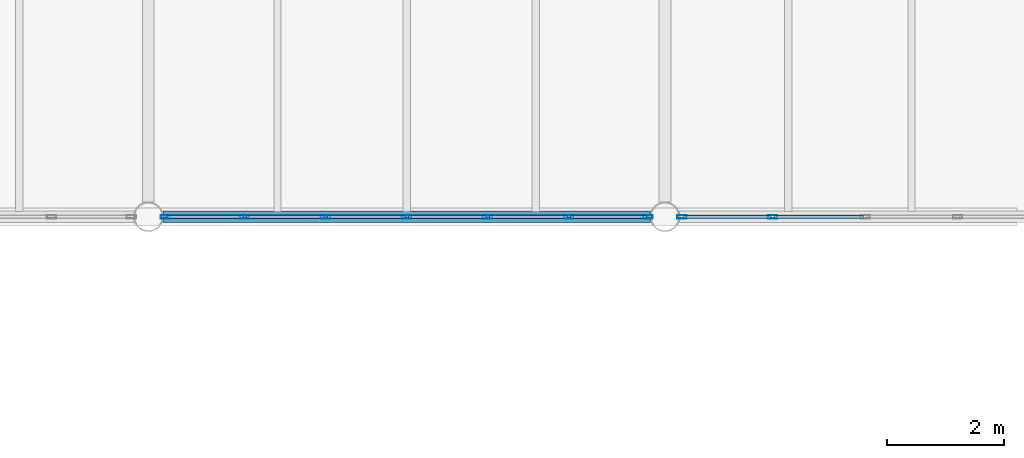
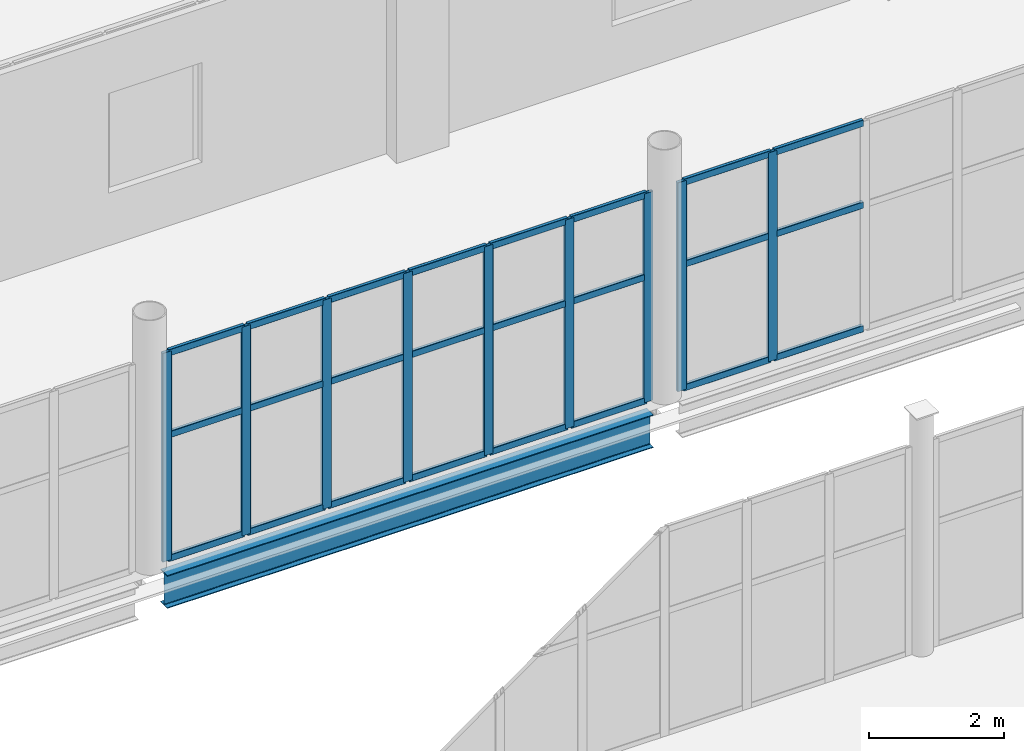
# One storey, part 85 of 172: 33 members, 1 beam, 2 elements without a shape of their own.
"""IFC4 building model written with IfcOpenShell, lengths in metres."""

from ifc_helpers import new_model, si_unit, direction, frame, origin, origin_2d, place, context, subcontext, project, spatial, hollow_rectangle, i_section, extrude, material, material_profile, profile_set, type_object, element, aggregate, save


model = new_model("IFC4")

# Units and contexts
model_context = context("Model", 3, precision=1e-05, world=origin(), true_north=direction((0.0, 1.0)))
body_context = subcontext(model_context, "Body", "Model", "MODEL_VIEW")
ifc_project = project(units=[si_unit("LENGTHUNIT", "METRE"), si_unit("AREAUNIT", "SQUARE_METRE"), si_unit("VOLUMEUNIT", "CUBIC_METRE"), si_unit("PLANEANGLEUNIT", "RADIAN"), si_unit("MASSUNIT", "GRAM", prefix="KILO")], contexts=[model_context])

# Site, building, storey
site_placement = place(None, origin())
site = spatial("IfcSite", under=ifc_project, at=site_placement, CompositionType="ELEMENT")
building_placement = place(site_placement, origin())
building = spatial("IfcBuilding", under=site, at=building_placement, Name="Shengluoqiao Park Theatre", CompositionType="ELEMENT")
storey_placement = place(building_placement, frame((0.0, 0.0, 5.39990234375)))
storey = spatial("IfcBuildingStorey", under=building, at=storey_placement, Name="L01", CompositionType="ELEMENT", Elevation=5.39990234375)

# Curtain wall, members
ifc_material_1 = material(Name="Aluminium 6063-T6", Category="aluminium")
curtain_wall_type = type_object("IfcCurtainWallType", Name="ENV-CW-BRIDGE", PredefinedType="NOTDEFINED", material=ifc_material_1)
curtain_wall_1_placement = place(storey_placement, origin())
curtain_wall_1 = element("IfcCurtainWall", 1, at=curtain_wall_1_placement, inside=storey, type_object=curtain_wall_type, Name="L01 Curtain Wall CWX-L01-0092", PredefinedType="NOTDEFINED")
ifc_material_profile_1 = material_profile(ifc_material_1, hollow_rectangle(XDim=0.06005859375, YDim=0.159912109375, WallThickness=0.00390625, InnerFilletRadius=0.00390625, OuterFilletRadius=0.008056640625, at=origin_2d()), Name="ALU MULLION 160x60x4")
ifc_profile_set_1 = profile_set([ifc_material_profile_1], Name="Aluminium 6063-T6")
member_type_1 = type_object("IfcMemberType", Name="ENV-MUL-160", PredefinedType="MULLION", material=ifc_profile_set_1)
member_1_placement = place(storey_placement, frame((95.488037109375, 68.39990234375, 0.0), z_axis=(0.0, 0.0, 1.0), x_axis=(0.0, 1.0, 0.0)))
member_1 = element("IfcMember", 2, at=member_1_placement, type_object=member_type_1, Name="CW-03 mullion 1", PredefinedType="MULLION", context=body_context, shape_type="SweptSolid", body=[
    extrude(hollow_rectangle(XDim=0.06005859375, YDim=0.159912109375, WallThickness=0.00390625, InnerFilletRadius=0.00390625, OuterFilletRadius=0.008056640625, at=origin_2d()), origin(), (0.0, 0.0, 1.0), 3.772216796875),
])
member_2_placement = place(storey_placement, frame((96.838623046875, 68.39990234375, 0.0), z_axis=(0.0, 0.0, 1.0), x_axis=(0.0, 1.0, 0.0)))
member_2 = element("IfcMember", 3, at=member_2_placement, type_object=member_type_1, Name="CW-03 mullion 2", PredefinedType="MULLION", context=body_context, shape_type="SweptSolid", body=[
    extrude(hollow_rectangle(XDim=0.06005859375, YDim=0.159912109375, WallThickness=0.00390625, InnerFilletRadius=0.00390625, OuterFilletRadius=0.008056640625, at=origin_2d()), origin(), (0.0, 0.0, 1.0), 3.772216796875),
])
member_3_placement = place(storey_placement, frame((98.21923828125, 68.39990234375, 0.0), z_axis=(0.0, 0.0, 1.0), x_axis=(0.0, 1.0, 0.0)))
member_3 = element("IfcMember", 4, at=member_3_placement, type_object=member_type_1, Name="CW-03 mullion 3", PredefinedType="MULLION", context=body_context, shape_type="SweptSolid", body=[
    extrude(hollow_rectangle(XDim=0.06005859375, YDim=0.159912109375, WallThickness=0.00390625, InnerFilletRadius=0.00390625, OuterFilletRadius=0.008056640625, at=origin_2d()), origin(), (0.0, 0.0, 1.0), 3.772216796875),
])
member_4_placement = place(storey_placement, frame((99.60009765625, 68.39990234375, 0.0), z_axis=(0.0, 0.0, 1.0), x_axis=(0.0, 1.0, 0.0)))
member_4 = element("IfcMember", 5, at=member_4_placement, type_object=member_type_1, Name="CW-03 mullion 4", PredefinedType="MULLION", context=body_context, shape_type="SweptSolid", body=[
    extrude(hollow_rectangle(XDim=0.06005859375, YDim=0.159912109375, WallThickness=0.00390625, InnerFilletRadius=0.00390625, OuterFilletRadius=0.008056640625, at=origin_2d()), origin(), (0.0, 0.0, 1.0), 3.772216796875),
])
member_5_placement = place(storey_placement, frame((100.980712890625, 68.39990234375, 0.0), z_axis=(0.0, 0.0, 1.0), x_axis=(0.0, 1.0, 0.0)))
member_5 = element("IfcMember", 6, at=member_5_placement, type_object=member_type_1, Name="CW-03 mullion 5", PredefinedType="MULLION", context=body_context, shape_type="SweptSolid", body=[
    extrude(hollow_rectangle(XDim=0.06005859375, YDim=0.159912109375, WallThickness=0.00390625, InnerFilletRadius=0.00390625, OuterFilletRadius=0.008056640625, at=origin_2d()), origin(), (0.0, 0.0, 1.0), 3.772216796875),
])
member_6_placement = place(storey_placement, frame((102.361328125, 68.39990234375, 0.0), z_axis=(0.0, 0.0, 1.0), x_axis=(0.0, 1.0, 0.0)))
member_6 = element("IfcMember", 7, at=member_6_placement, type_object=member_type_1, Name="CW-03 mullion 6", PredefinedType="MULLION", context=body_context, shape_type="SweptSolid", body=[
    extrude(hollow_rectangle(XDim=0.06005859375, YDim=0.159912109375, WallThickness=0.00390625, InnerFilletRadius=0.00390625, OuterFilletRadius=0.008056640625, at=origin_2d()), origin(), (0.0, 0.0, 1.0), 3.772216796875),
])
member_7_placement = place(storey_placement, frame((103.7119140625, 68.39990234375, 0.0), z_axis=(0.0, 0.0, 1.0), x_axis=(0.0, 1.0, 0.0)))
member_7 = element("IfcMember", 8, at=member_7_placement, type_object=member_type_1, Name="CW-03 mullion 7", PredefinedType="MULLION", context=body_context, shape_type="SweptSolid", body=[
    extrude(hollow_rectangle(XDim=0.06005859375, YDim=0.159912109375, WallThickness=0.00390625, InnerFilletRadius=0.00390625, OuterFilletRadius=0.008056640625, at=origin_2d()), origin(), (0.0, 0.0, 1.0), 3.772216796875),
])

curtain_wall_2_placement = place(storey_placement, origin())
curtain_wall_2 = element("IfcCurtainWall", 9, at=curtain_wall_2_placement, inside=storey, type_object=curtain_wall_type, Name="L01 Curtain Wall CWX-L01-0093", PredefinedType="NOTDEFINED")
member_8_placement = place(storey_placement, frame((104.2880859375, 68.39990234375, 0.0), z_axis=(0.0, 0.0, 1.0), x_axis=(0.0, 1.0, 0.0)))
member_8 = element("IfcMember", 10, at=member_8_placement, type_object=member_type_1, Name="CW-03 mullion 1", PredefinedType="MULLION", context=body_context, shape_type="SweptSolid", body=[
    extrude(hollow_rectangle(XDim=0.06005859375, YDim=0.159912109375, WallThickness=0.00390625, InnerFilletRadius=0.00390625, OuterFilletRadius=0.008056640625, at=origin_2d()), origin(), (0.0, 0.0, 1.0), 3.772216796875),
])
member_9_placement = place(storey_placement, frame((105.834716796875, 68.39990234375, 0.0), z_axis=(0.0, 0.0, 1.0), x_axis=(0.0, 1.0, 0.0)))
member_9 = element("IfcMember", 11, at=member_9_placement, type_object=member_type_1, Name="CW-03 mullion 2", PredefinedType="MULLION", context=body_context, shape_type="SweptSolid", body=[
    extrude(hollow_rectangle(XDim=0.06005859375, YDim=0.159912109375, WallThickness=0.00390625, InnerFilletRadius=0.00390625, OuterFilletRadius=0.008056640625, at=origin_2d()), origin(), (0.0, 0.0, 1.0), 3.772216796875),
])

# Member
ifc_material_profile_2 = material_profile(ifc_material_1, hollow_rectangle(XDim=0.06005859375, YDim=0.1201171875, WallThickness=0.00390625, InnerFilletRadius=0.00390625, OuterFilletRadius=0.008056640625, at=origin_2d()), Name="ALU TRANSOM 120x60x4")
ifc_profile_set_2 = profile_set([ifc_material_profile_2], Name="Aluminium 6063-T6")
member_type_2 = type_object("IfcMemberType", Name="ENV-TRN-120", PredefinedType="USERDEFINED", material=ifc_profile_set_2)
member_10_placement = place(storey_placement, frame((95.51806640625, 68.39990234375, 0.030029296875), z_axis=(1.0, 0.0, 0.0), x_axis=(0.0, 1.0, 0.0)))
member_10 = element("IfcMember", 12, at=member_10_placement, type_object=member_type_2, Name="CW-03 transom 1.1", ObjectType="TRANSOM", PredefinedType="USERDEFINED", context=body_context, shape_type="SweptSolid", body=[
    extrude(hollow_rectangle(XDim=0.06005859375, YDim=0.1201171875, WallThickness=0.00390625, InnerFilletRadius=0.00390625, OuterFilletRadius=0.008056640625, at=origin_2d()), origin(), (0.0, 0.0, 1.0), 1.29052734375),
])

member_11_placement = place(storey_placement, frame((95.51806640625, 68.39990234375, 2.26318359375), z_axis=(1.0, 0.0, 0.0), x_axis=(0.0, 1.0, 0.0)))
member_11 = element("IfcMember", 13, at=member_11_placement, type_object=member_type_2, Name="CW-03 transom 1.2", ObjectType="TRANSOM", PredefinedType="USERDEFINED", context=body_context, shape_type="SweptSolid", body=[
    extrude(hollow_rectangle(XDim=0.06005859375, YDim=0.1201171875, WallThickness=0.00390625, InnerFilletRadius=0.00390625, OuterFilletRadius=0.008056640625, at=origin_2d()), origin(), (0.0, 0.0, 1.0), 1.29052734375),
])

member_12_placement = place(storey_placement, frame((95.51806640625, 68.39990234375, 3.7421875), z_axis=(1.0, 0.0, 0.0), x_axis=(0.0, 1.0, 0.0)))
member_12 = element("IfcMember", 14, at=member_12_placement, type_object=member_type_2, Name="CW-03 transom 1.3", ObjectType="TRANSOM", PredefinedType="USERDEFINED", context=body_context, shape_type="SweptSolid", body=[
    extrude(hollow_rectangle(XDim=0.06005859375, YDim=0.1201171875, WallThickness=0.00390625, InnerFilletRadius=0.00390625, OuterFilletRadius=0.008056640625, at=origin_2d()), origin(), (0.0, 0.0, 1.0), 1.29052734375),
])

member_13_placement = place(storey_placement, frame((96.86865234375, 68.39990234375, 0.030029296875), z_axis=(1.0, 0.0, 0.0), x_axis=(0.0, 1.0, 0.0)))
member_13 = element("IfcMember", 15, at=member_13_placement, type_object=member_type_2, Name="CW-03 transom 2.1", ObjectType="TRANSOM", PredefinedType="USERDEFINED", context=body_context, shape_type="SweptSolid", body=[
    extrude(hollow_rectangle(XDim=0.06005859375, YDim=0.1201171875, WallThickness=0.00390625, InnerFilletRadius=0.00390625, OuterFilletRadius=0.008056640625, at=origin_2d()), origin(), (0.0, 0.0, 1.0), 1.32080078125),
])

member_14_placement = place(storey_placement, frame((96.86865234375, 68.39990234375, 2.26318359375), z_axis=(1.0, 0.0, 0.0), x_axis=(0.0, 1.0, 0.0)))
member_14 = element("IfcMember", 16, at=member_14_placement, type_object=member_type_2, Name="CW-03 transom 2.2", ObjectType="TRANSOM", PredefinedType="USERDEFINED", context=body_context, shape_type="SweptSolid", body=[
    extrude(hollow_rectangle(XDim=0.06005859375, YDim=0.1201171875, WallThickness=0.00390625, InnerFilletRadius=0.00390625, OuterFilletRadius=0.008056640625, at=origin_2d()), origin(), (0.0, 0.0, 1.0), 1.32080078125),
])

member_15_placement = place(storey_placement, frame((96.86865234375, 68.39990234375, 3.7421875), z_axis=(1.0, 0.0, 0.0), x_axis=(0.0, 1.0, 0.0)))
member_15 = element("IfcMember", 17, at=member_15_placement, type_object=member_type_2, Name="CW-03 transom 2.3", ObjectType="TRANSOM", PredefinedType="USERDEFINED", context=body_context, shape_type="SweptSolid", body=[
    extrude(hollow_rectangle(XDim=0.06005859375, YDim=0.1201171875, WallThickness=0.00390625, InnerFilletRadius=0.00390625, OuterFilletRadius=0.008056640625, at=origin_2d()), origin(), (0.0, 0.0, 1.0), 1.32080078125),
])

member_16_placement = place(storey_placement, frame((98.249267578125, 68.39990234375, 0.030029296875), z_axis=(1.0, 0.0, 0.0), x_axis=(0.0, 1.0, 0.0)))
member_16 = element("IfcMember", 18, at=member_16_placement, type_object=member_type_2, Name="CW-03 transom 3.1", ObjectType="TRANSOM", PredefinedType="USERDEFINED", context=body_context, shape_type="SweptSolid", body=[
    extrude(hollow_rectangle(XDim=0.06005859375, YDim=0.1201171875, WallThickness=0.00390625, InnerFilletRadius=0.00390625, OuterFilletRadius=0.008056640625, at=origin_2d()), origin(), (0.0, 0.0, 1.0), 1.32080078125),
])

member_17_placement = place(storey_placement, frame((98.249267578125, 68.39990234375, 2.26318359375), z_axis=(1.0, 0.0, 0.0), x_axis=(0.0, 1.0, 0.0)))
member_17 = element("IfcMember", 19, at=member_17_placement, type_object=member_type_2, Name="CW-03 transom 3.2", ObjectType="TRANSOM", PredefinedType="USERDEFINED", context=body_context, shape_type="SweptSolid", body=[
    extrude(hollow_rectangle(XDim=0.06005859375, YDim=0.1201171875, WallThickness=0.00390625, InnerFilletRadius=0.00390625, OuterFilletRadius=0.008056640625, at=origin_2d()), origin(), (0.0, 0.0, 1.0), 1.32080078125),
])

member_18_placement = place(storey_placement, frame((98.249267578125, 68.39990234375, 3.7421875), z_axis=(1.0, 0.0, 0.0), x_axis=(0.0, 1.0, 0.0)))
member_18 = element("IfcMember", 20, at=member_18_placement, type_object=member_type_2, Name="CW-03 transom 3.3", ObjectType="TRANSOM", PredefinedType="USERDEFINED", context=body_context, shape_type="SweptSolid", body=[
    extrude(hollow_rectangle(XDim=0.06005859375, YDim=0.1201171875, WallThickness=0.00390625, InnerFilletRadius=0.00390625, OuterFilletRadius=0.008056640625, at=origin_2d()), origin(), (0.0, 0.0, 1.0), 1.32080078125),
])

member_19_placement = place(storey_placement, frame((99.6298828125, 68.39990234375, 0.030029296875), z_axis=(1.0, 0.0, 0.0), x_axis=(0.0, 1.0, 0.0)))
member_19 = element("IfcMember", 21, at=member_19_placement, type_object=member_type_2, Name="CW-03 transom 4.1", ObjectType="TRANSOM", PredefinedType="USERDEFINED", context=body_context, shape_type="SweptSolid", body=[
    extrude(hollow_rectangle(XDim=0.06005859375, YDim=0.1201171875, WallThickness=0.00390625, InnerFilletRadius=0.00390625, OuterFilletRadius=0.008056640625, at=origin_2d()), origin(), (0.0, 0.0, 1.0), 1.32080078125),
])

member_20_placement = place(storey_placement, frame((99.6298828125, 68.39990234375, 2.26318359375), z_axis=(1.0, 0.0, 0.0), x_axis=(0.0, 1.0, 0.0)))
member_20 = element("IfcMember", 22, at=member_20_placement, type_object=member_type_2, Name="CW-03 transom 4.2", ObjectType="TRANSOM", PredefinedType="USERDEFINED", context=body_context, shape_type="SweptSolid", body=[
    extrude(hollow_rectangle(XDim=0.06005859375, YDim=0.1201171875, WallThickness=0.00390625, InnerFilletRadius=0.00390625, OuterFilletRadius=0.008056640625, at=origin_2d()), origin(), (0.0, 0.0, 1.0), 1.32080078125),
])

member_21_placement = place(storey_placement, frame((99.6298828125, 68.39990234375, 3.7421875), z_axis=(1.0, 0.0, 0.0), x_axis=(0.0, 1.0, 0.0)))
member_21 = element("IfcMember", 23, at=member_21_placement, type_object=member_type_2, Name="CW-03 transom 4.3", ObjectType="TRANSOM", PredefinedType="USERDEFINED", context=body_context, shape_type="SweptSolid", body=[
    extrude(hollow_rectangle(XDim=0.06005859375, YDim=0.1201171875, WallThickness=0.00390625, InnerFilletRadius=0.00390625, OuterFilletRadius=0.008056640625, at=origin_2d()), origin(), (0.0, 0.0, 1.0), 1.32080078125),
])

member_22_placement = place(storey_placement, frame((101.0107421875, 68.39990234375, 0.030029296875), z_axis=(1.0, 0.0, 0.0), x_axis=(0.0, 1.0, 0.0)))
member_22 = element("IfcMember", 24, at=member_22_placement, type_object=member_type_2, Name="CW-03 transom 5.1", ObjectType="TRANSOM", PredefinedType="USERDEFINED", context=body_context, shape_type="SweptSolid", body=[
    extrude(hollow_rectangle(XDim=0.06005859375, YDim=0.1201171875, WallThickness=0.00390625, InnerFilletRadius=0.00390625, OuterFilletRadius=0.008056640625, at=origin_2d()), origin(), (0.0, 0.0, 1.0), 1.320556640625),
])

member_23_placement = place(storey_placement, frame((101.0107421875, 68.39990234375, 2.26318359375), z_axis=(1.0, 0.0, 0.0), x_axis=(0.0, 1.0, 0.0)))
member_23 = element("IfcMember", 25, at=member_23_placement, type_object=member_type_2, Name="CW-03 transom 5.2", ObjectType="TRANSOM", PredefinedType="USERDEFINED", context=body_context, shape_type="SweptSolid", body=[
    extrude(hollow_rectangle(XDim=0.06005859375, YDim=0.1201171875, WallThickness=0.00390625, InnerFilletRadius=0.00390625, OuterFilletRadius=0.008056640625, at=origin_2d()), origin(), (0.0, 0.0, 1.0), 1.320556640625),
])

member_24_placement = place(storey_placement, frame((101.0107421875, 68.39990234375, 3.7421875), z_axis=(1.0, 0.0, 0.0), x_axis=(0.0, 1.0, 0.0)))
member_24 = element("IfcMember", 26, at=member_24_placement, type_object=member_type_2, Name="CW-03 transom 5.3", ObjectType="TRANSOM", PredefinedType="USERDEFINED", context=body_context, shape_type="SweptSolid", body=[
    extrude(hollow_rectangle(XDim=0.06005859375, YDim=0.1201171875, WallThickness=0.00390625, InnerFilletRadius=0.00390625, OuterFilletRadius=0.008056640625, at=origin_2d()), origin(), (0.0, 0.0, 1.0), 1.320556640625),
])

member_25_placement = place(storey_placement, frame((102.391357421875, 68.39990234375, 0.030029296875), z_axis=(1.0, 0.0, 0.0), x_axis=(0.0, 1.0, 0.0)))
member_25 = element("IfcMember", 27, at=member_25_placement, type_object=member_type_2, Name="CW-03 transom 6.1", ObjectType="TRANSOM", PredefinedType="USERDEFINED", context=body_context, shape_type="SweptSolid", body=[
    extrude(hollow_rectangle(XDim=0.06005859375, YDim=0.1201171875, WallThickness=0.00390625, InnerFilletRadius=0.00390625, OuterFilletRadius=0.008056640625, at=origin_2d()), origin(), (0.0, 0.0, 1.0), 1.29052734375),
])

member_26_placement = place(storey_placement, frame((102.391357421875, 68.39990234375, 2.26318359375), z_axis=(1.0, 0.0, 0.0), x_axis=(0.0, 1.0, 0.0)))
member_26 = element("IfcMember", 28, at=member_26_placement, type_object=member_type_2, Name="CW-03 transom 6.2", ObjectType="TRANSOM", PredefinedType="USERDEFINED", context=body_context, shape_type="SweptSolid", body=[
    extrude(hollow_rectangle(XDim=0.06005859375, YDim=0.1201171875, WallThickness=0.00390625, InnerFilletRadius=0.00390625, OuterFilletRadius=0.008056640625, at=origin_2d()), origin(), (0.0, 0.0, 1.0), 1.29052734375),
])

member_27_placement = place(storey_placement, frame((102.391357421875, 68.39990234375, 3.7421875), z_axis=(1.0, 0.0, 0.0), x_axis=(0.0, 1.0, 0.0)))
member_27 = element("IfcMember", 29, at=member_27_placement, type_object=member_type_2, Name="CW-03 transom 6.3", ObjectType="TRANSOM", PredefinedType="USERDEFINED", context=body_context, shape_type="SweptSolid", body=[
    extrude(hollow_rectangle(XDim=0.06005859375, YDim=0.1201171875, WallThickness=0.00390625, InnerFilletRadius=0.00390625, OuterFilletRadius=0.008056640625, at=origin_2d()), origin(), (0.0, 0.0, 1.0), 1.29052734375),
])

aggregate(curtain_wall_1, [member_1, member_2, member_3, member_4, member_5, member_6, member_7, member_10, member_11, member_12, member_13, member_14, member_15, member_16, member_17, member_18, member_19, member_20, member_21, member_22, member_23, member_24, member_25, member_26, member_27])

member_28_placement = place(storey_placement, frame((104.318115234375, 68.39990234375, 0.030029296875), z_axis=(1.0, 0.0, 0.0), x_axis=(0.0, 1.0, 0.0)))
member_28 = element("IfcMember", 30, at=member_28_placement, type_object=member_type_2, Name="CW-03 transom 1.1", ObjectType="TRANSOM", PredefinedType="USERDEFINED", context=body_context, shape_type="SweptSolid", body=[
    extrude(hollow_rectangle(XDim=0.06005859375, YDim=0.1201171875, WallThickness=0.00390625, InnerFilletRadius=0.00390625, OuterFilletRadius=0.008056640625, at=origin_2d()), origin(), (0.0, 0.0, 1.0), 1.486572265625),
])

member_29_placement = place(storey_placement, frame((104.318115234375, 68.39990234375, 2.26318359375), z_axis=(1.0, 0.0, 0.0), x_axis=(0.0, 1.0, 0.0)))
member_29 = element("IfcMember", 31, at=member_29_placement, type_object=member_type_2, Name="CW-03 transom 1.2", ObjectType="TRANSOM", PredefinedType="USERDEFINED", context=body_context, shape_type="SweptSolid", body=[
    extrude(hollow_rectangle(XDim=0.06005859375, YDim=0.1201171875, WallThickness=0.00390625, InnerFilletRadius=0.00390625, OuterFilletRadius=0.008056640625, at=origin_2d()), origin(), (0.0, 0.0, 1.0), 1.486572265625),
])

member_30_placement = place(storey_placement, frame((104.318115234375, 68.39990234375, 3.7421875), z_axis=(1.0, 0.0, 0.0), x_axis=(0.0, 1.0, 0.0)))
member_30 = element("IfcMember", 32, at=member_30_placement, type_object=member_type_2, Name="CW-03 transom 1.3", ObjectType="TRANSOM", PredefinedType="USERDEFINED", context=body_context, shape_type="SweptSolid", body=[
    extrude(hollow_rectangle(XDim=0.06005859375, YDim=0.1201171875, WallThickness=0.00390625, InnerFilletRadius=0.00390625, OuterFilletRadius=0.008056640625, at=origin_2d()), origin(), (0.0, 0.0, 1.0), 1.486572265625),
])

member_31_placement = place(storey_placement, frame((105.86474609375, 68.39990234375, 0.030029296875), z_axis=(1.0, 0.0, 0.0), x_axis=(0.0, 1.0, 0.0)))
member_31 = element("IfcMember", 33, at=member_31_placement, type_object=member_type_2, Name="CW-03 transom 2.1", ObjectType="TRANSOM", PredefinedType="USERDEFINED", context=body_context, shape_type="SweptSolid", body=[
    extrude(hollow_rectangle(XDim=0.06005859375, YDim=0.1201171875, WallThickness=0.00390625, InnerFilletRadius=0.00390625, OuterFilletRadius=0.008056640625, at=origin_2d()), origin(), (0.0, 0.0, 1.0), 1.516845703125),
])

member_32_placement = place(storey_placement, frame((105.86474609375, 68.39990234375, 2.26318359375), z_axis=(1.0, 0.0, 0.0), x_axis=(0.0, 1.0, 0.0)))
member_32 = element("IfcMember", 34, at=member_32_placement, type_object=member_type_2, Name="CW-03 transom 2.2", ObjectType="TRANSOM", PredefinedType="USERDEFINED", context=body_context, shape_type="SweptSolid", body=[
    extrude(hollow_rectangle(XDim=0.06005859375, YDim=0.1201171875, WallThickness=0.00390625, InnerFilletRadius=0.00390625, OuterFilletRadius=0.008056640625, at=origin_2d()), origin(), (0.0, 0.0, 1.0), 1.516845703125),
])

member_33_placement = place(storey_placement, frame((105.86474609375, 68.39990234375, 3.7421875), z_axis=(1.0, 0.0, 0.0), x_axis=(0.0, 1.0, 0.0)))
member_33 = element("IfcMember", 35, at=member_33_placement, type_object=member_type_2, Name="CW-03 transom 2.3", ObjectType="TRANSOM", PredefinedType="USERDEFINED", context=body_context, shape_type="SweptSolid", body=[
    extrude(hollow_rectangle(XDim=0.06005859375, YDim=0.1201171875, WallThickness=0.00390625, InnerFilletRadius=0.00390625, OuterFilletRadius=0.008056640625, at=origin_2d()), origin(), (0.0, 0.0, 1.0), 1.516845703125),
])

aggregate(curtain_wall_2, [member_8, member_9, member_28, member_29, member_30, member_31, member_32, member_33])

# Beam
ifc_material_2 = material(Name="Steel Q355", Category="steel")
ifc_material_profile_3 = material_profile(ifc_material_2, i_section(OverallWidth=0.198974609375, OverallDepth=0.595947265625, WebThickness=0.010009765625, FlangeThickness=0.014892578125, FilletRadius=0.02001953125, at=origin_2d()), Name="HN 596x199x10x15")
ifc_profile_set_3 = profile_set([ifc_material_profile_3], Name="Steel Q355")
beam_type = type_object("IfcBeamType", Name="STR-BM-SP-HN596", PredefinedType="SPANDREL", material=ifc_profile_set_3)
beam_placement = place(storey_placement, frame((95.447998046875, 68.39990234375, -0.5078125), z_axis=(1.0, 0.0, 0.0), x_axis=(0.0, 1.0, 0.0)))
element("IfcBeam", 36, at=beam_placement, inside=storey, type_object=beam_type, Name="L01 Primary Girder 00517", PredefinedType="SPANDREL", context=body_context, shape_type="SweptSolid", body=[
    extrude(i_section(OverallWidth=0.198974609375, OverallDepth=0.595947265625, WebThickness=0.010009765625, FlangeThickness=0.014892578125, FilletRadius=0.02001953125, at=origin_2d()), origin(), (0.0, 0.0, 1.0), 8.303955078125),
])

save(model, "model.ifc")
